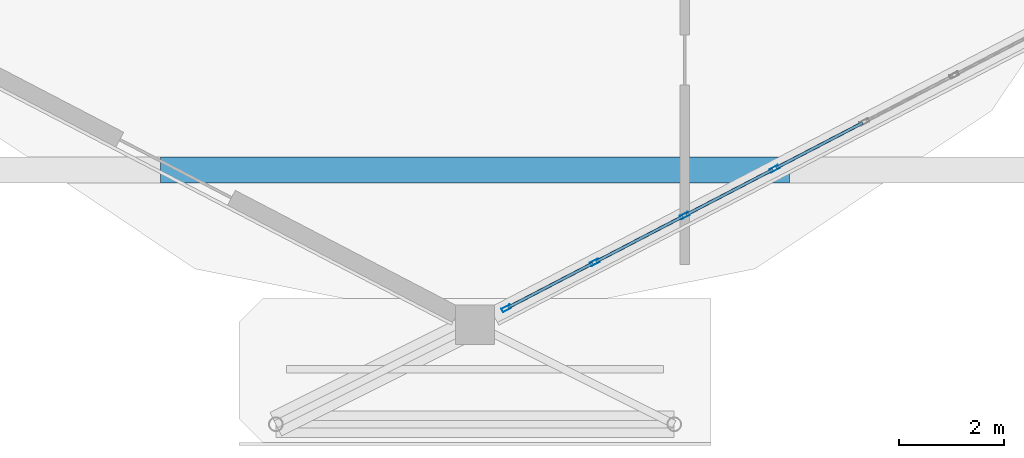
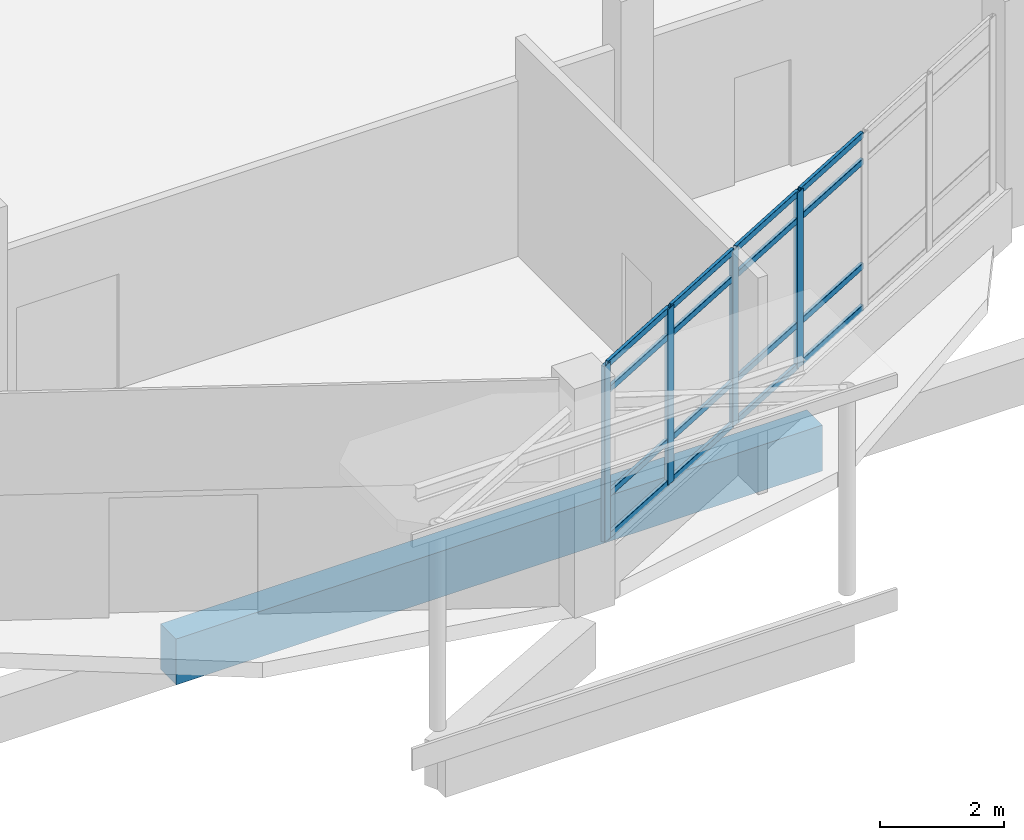
# One storey, part 19 of 129: 20 members, 1 beam, 1 element without a shape of its own.
"""IFC4 building model written with IfcOpenShell, lengths in metres."""

from ifc_helpers import new_model, si_unit, direction, frame, origin, origin_2d, place, context, subcontext, project, spatial, rectangle, hollow_rectangle, extrude, material, layer, layer_set, material_profile, profile_set, type_object, element, aggregate, save


model = new_model("IFC4")

# Units and contexts
model_context = context("Model", 3, precision=1e-05, world=origin(), true_north=direction((0.0, 1.0)))
body_context = subcontext(model_context, "Body", "Model", "MODEL_VIEW")
ifc_project = project(units=[si_unit("LENGTHUNIT", "METRE"), si_unit("AREAUNIT", "SQUARE_METRE"), si_unit("VOLUMEUNIT", "CUBIC_METRE"), si_unit("PLANEANGLEUNIT", "RADIAN"), si_unit("MASSUNIT", "GRAM", prefix="KILO")], contexts=[model_context])

# Site, building, storey
site_placement = place(None, origin())
site = spatial("IfcSite", under=ifc_project, at=site_placement, CompositionType="ELEMENT")
building_placement = place(site_placement, origin())
building = spatial("IfcBuilding", under=site, at=building_placement, Name="Vespera Passage Community Centre", CompositionType="ELEMENT")
storey_placement = place(building_placement, origin())
storey = spatial("IfcBuildingStorey", under=building, at=storey_placement, Name="L00", CompositionType="ELEMENT", Elevation=0.0)

# Beam
ifc_material_1 = material(Name="Concrete f'c 45 MPa", Category="concrete")
ifc_material_profile_1 = material_profile(ifc_material_1, rectangle(XDim=0.5, YDim=0.89990234375, at=origin_2d()), Name="RC500X900")
ifc_profile_set_1 = profile_set([ifc_material_profile_1], Name="Concrete f'c 45 MPa")
beam_type = type_object("IfcBeamType", Name="BM-G-500X900", PredefinedType="BEAM", material=ifc_profile_set_1)
beam_placement = place(storey_placement, frame((12.0, 7.0, -0.75), z_axis=(1.0, 0.0, 0.0), x_axis=(0.0, 1.0, 0.0)))
element("IfcBeam", 1, at=beam_placement, inside=storey, type_object=beam_type, Name="V1 L00 Floor Girder 1.2", PredefinedType="BEAM", context=body_context, shape_type="SweptSolid", body=[
    extrude(rectangle(XDim=0.5, YDim=0.89990234375, at=origin_2d()), origin(), (0.0, 0.0, 1.0), 12.0),
])

# Curtain wall, members
ifc_material_2 = material(Name="Anodized aluminium 6063-T6", Category="aluminium")
ifc_layer = layer(ifc_material_2, 0.159912109375)
ifc_layer_set = layer_set([ifc_layer], Name="Anodized aluminium 6063-T6")
curtain_wall_type = type_object("IfcCurtainWallType", Name="CW-83E", PredefinedType="NOTDEFINED", material=ifc_layer_set)
curtain_wall_placement = place(storey_placement, origin())
curtain_wall = element("IfcCurtainWall", 2, at=curtain_wall_placement, inside=storey, type_object=curtain_wall_type, Name="V1 L00 S Apse Ribbon Curtain Wall 2", PredefinedType="NOTDEFINED")
ifc_material_3 = material(Name="Anodized aluminium 6063-T6", Category="aluminium")
ifc_material_profile_2 = material_profile(ifc_material_3, hollow_rectangle(XDim=0.074951171875, YDim=0.179931640625, WallThickness=0.0048828125, InnerFilletRadius=0.00244140625, OuterFilletRadius=0.0048828125, at=origin_2d()), Name="ALU180X75X5")
ifc_profile_set_2 = profile_set([ifc_material_profile_2], Name="Anodized aluminium 6063-T6")
member_type_1 = type_object("IfcMemberType", Name="MB-CWM-180E", PredefinedType="MULLION", material=ifc_profile_set_2)
member_1_placement = place(storey_placement, frame((23.713623046875, 7.0244140625, 0.800048828125), z_axis=(0.0, 0.0, 1.0), x_axis=(0.46174493668, -0.887012747062, 0.0)))
member_1 = element("IfcMember", 3, at=member_1_placement, type_object=member_type_1, Name="CW-83E mullion 4", PredefinedType="MULLION", context=body_context, shape_type="SweptSolid", body=[
    extrude(hollow_rectangle(XDim=0.074951171875, YDim=0.179931640625, WallThickness=0.0048828125, InnerFilletRadius=0.00244140625, OuterFilletRadius=0.0048828125, at=origin_2d()), origin(), (0.0, 0.0, 1.0), 3.449951171875),
])
member_2_placement = place(storey_placement, frame((21.99755859375, 6.131103515625, 0.800048828125), z_axis=(0.0, 0.0, 1.0), x_axis=(0.46174493668, -0.887012747062, 0.0)))
member_2 = element("IfcMember", 4, at=member_2_placement, type_object=member_type_1, Name="CW-83E mullion 5", PredefinedType="MULLION", context=body_context, shape_type="SweptSolid", body=[
    extrude(hollow_rectangle(XDim=0.074951171875, YDim=0.179931640625, WallThickness=0.0048828125, InnerFilletRadius=0.00244140625, OuterFilletRadius=0.0048828125, at=origin_2d()), origin(), (0.0, 0.0, 1.0), 3.449951171875),
])
member_3_placement = place(storey_placement, frame((20.28173828125, 5.23779296875, 0.800048828125), z_axis=(0.0, 0.0, 1.0), x_axis=(0.46174493668, -0.887012747062, 0.0)))
member_3 = element("IfcMember", 5, at=member_3_placement, type_object=member_type_1, Name="CW-83E mullion 6", PredefinedType="MULLION", context=body_context, shape_type="SweptSolid", body=[
    extrude(hollow_rectangle(XDim=0.074951171875, YDim=0.179931640625, WallThickness=0.0048828125, InnerFilletRadius=0.00244140625, OuterFilletRadius=0.0048828125, at=origin_2d()), origin(), (0.0, 0.0, 1.0), 3.449951171875),
])
member_4_placement = place(storey_placement, frame((18.598876953125, 4.36181640625, 0.800048828125), z_axis=(0.0, 0.0, 1.0), x_axis=(0.46174493668, -0.887012747062, 0.0)))
member_4 = element("IfcMember", 6, at=member_4_placement, type_object=member_type_1, Name="CW-83E mullion 7", PredefinedType="MULLION", context=body_context, shape_type="SweptSolid", body=[
    extrude(hollow_rectangle(XDim=0.074951171875, YDim=0.179931640625, WallThickness=0.0048828125, InnerFilletRadius=0.00244140625, OuterFilletRadius=0.0048828125, at=origin_2d()), origin(), (0.0, 0.0, 1.0), 3.449951171875),
])
ifc_material_4 = material(Name="Anodized aluminium 6063-T6", Category="aluminium")
ifc_material_profile_3 = material_profile(ifc_material_4, hollow_rectangle(XDim=0.06005859375, YDim=0.1201171875, WallThickness=0.00390625, InnerFilletRadius=0.001953125, OuterFilletRadius=0.00390625, at=origin_2d()), Name="ALU120X60X4")
ifc_profile_set_3 = profile_set([ifc_material_profile_3], Name="Anodized aluminium 6063-T6")
member_type_2 = type_object("IfcMemberType", Name="MB-CWT-120E", PredefinedType="USERDEFINED", material=ifc_profile_set_3)
member_5_placement = place(storey_placement, frame((25.396240234375, 7.900146484375, 0.830078125), z_axis=(-0.887008197889, -0.461753675544, 0.0), x_axis=(0.461753675544, -0.887008197889, 0.0)))
member_5 = element("IfcMember", 7, at=member_5_placement, type_object=member_type_2, Name="CW-83E transom 3.1", ObjectType="TRANSOM", PredefinedType="USERDEFINED", context=body_context, shape_type="SweptSolid", body=[
    extrude(hollow_rectangle(XDim=0.06005859375, YDim=0.1201171875, WallThickness=0.00390625, InnerFilletRadius=0.001953125, OuterFilletRadius=0.00390625, at=origin_2d()), origin(), (0.0, 0.0, 1.0), 1.859619140625),
])
member_6_placement = place(storey_placement, frame((25.396240234375, 7.900146484375, 1.64990234375), z_axis=(-0.887008197889, -0.461753675544, 0.0), x_axis=(0.461753675544, -0.887008197889, 0.0)))
member_6 = element("IfcMember", 8, at=member_6_placement, type_object=member_type_2, Name="CW-83E transom 3.2", ObjectType="TRANSOM", PredefinedType="USERDEFINED", context=body_context, shape_type="SweptSolid", body=[
    extrude(hollow_rectangle(XDim=0.06005859375, YDim=0.1201171875, WallThickness=0.00390625, InnerFilletRadius=0.001953125, OuterFilletRadius=0.00390625, at=origin_2d()), origin(), (0.0, 0.0, 1.0), 1.859619140625),
])
member_7_placement = place(storey_placement, frame((25.396240234375, 7.900146484375, 3.699951171875), z_axis=(-0.887008197889, -0.461753675544, 0.0), x_axis=(0.461753675544, -0.887008197889, 0.0)))
member_7 = element("IfcMember", 9, at=member_7_placement, type_object=member_type_2, Name="CW-83E transom 3.3", ObjectType="TRANSOM", PredefinedType="USERDEFINED", context=body_context, shape_type="SweptSolid", body=[
    extrude(hollow_rectangle(XDim=0.06005859375, YDim=0.1201171875, WallThickness=0.00390625, InnerFilletRadius=0.001953125, OuterFilletRadius=0.00390625, at=origin_2d()), origin(), (0.0, 0.0, 1.0), 1.859619140625),
])
member_8_placement = place(storey_placement, frame((25.396240234375, 7.900146484375, 4.219970703125), z_axis=(-0.887008197889, -0.461753675544, 0.0), x_axis=(0.461753675544, -0.887008197889, 0.0)))
member_8 = element("IfcMember", 10, at=member_8_placement, type_object=member_type_2, Name="CW-83E transom 3.4", ObjectType="TRANSOM", PredefinedType="USERDEFINED", context=body_context, shape_type="SweptSolid", body=[
    extrude(hollow_rectangle(XDim=0.06005859375, YDim=0.1201171875, WallThickness=0.00390625, InnerFilletRadius=0.001953125, OuterFilletRadius=0.00390625, at=origin_2d()), origin(), (0.0, 0.0, 1.0), 1.859619140625),
])
member_9_placement = place(storey_placement, frame((23.680419921875, 7.007080078125, 0.830078125), z_axis=(-0.887008197889, -0.461753675544, 0.0), x_axis=(0.461753675544, -0.887008197889, 0.0)))
member_9 = element("IfcMember", 11, at=member_9_placement, type_object=member_type_2, Name="CW-83E transom 4.1", ObjectType="TRANSOM", PredefinedType="USERDEFINED", context=body_context, shape_type="SweptSolid", body=[
    extrude(hollow_rectangle(XDim=0.06005859375, YDim=0.1201171875, WallThickness=0.00390625, InnerFilletRadius=0.001953125, OuterFilletRadius=0.00390625, at=origin_2d()), origin(), (0.0, 0.0, 1.0), 1.859619140625),
])
member_10_placement = place(storey_placement, frame((23.680419921875, 7.007080078125, 1.64990234375), z_axis=(-0.887008197889, -0.461753675544, 0.0), x_axis=(0.461753675544, -0.887008197889, 0.0)))
member_10 = element("IfcMember", 12, at=member_10_placement, type_object=member_type_2, Name="CW-83E transom 4.2", ObjectType="TRANSOM", PredefinedType="USERDEFINED", context=body_context, shape_type="SweptSolid", body=[
    extrude(hollow_rectangle(XDim=0.06005859375, YDim=0.1201171875, WallThickness=0.00390625, InnerFilletRadius=0.001953125, OuterFilletRadius=0.00390625, at=origin_2d()), origin(), (0.0, 0.0, 1.0), 1.859619140625),
])
member_11_placement = place(storey_placement, frame((23.680419921875, 7.007080078125, 3.699951171875), z_axis=(-0.887008197889, -0.461753675544, 0.0), x_axis=(0.461753675544, -0.887008197889, 0.0)))
member_11 = element("IfcMember", 13, at=member_11_placement, type_object=member_type_2, Name="CW-83E transom 4.3", ObjectType="TRANSOM", PredefinedType="USERDEFINED", context=body_context, shape_type="SweptSolid", body=[
    extrude(hollow_rectangle(XDim=0.06005859375, YDim=0.1201171875, WallThickness=0.00390625, InnerFilletRadius=0.001953125, OuterFilletRadius=0.00390625, at=origin_2d()), origin(), (0.0, 0.0, 1.0), 1.859619140625),
])
member_12_placement = place(storey_placement, frame((23.680419921875, 7.007080078125, 4.219970703125), z_axis=(-0.887008197889, -0.461753675544, 0.0), x_axis=(0.461753675544, -0.887008197889, 0.0)))
member_12 = element("IfcMember", 14, at=member_12_placement, type_object=member_type_2, Name="CW-83E transom 4.4", ObjectType="TRANSOM", PredefinedType="USERDEFINED", context=body_context, shape_type="SweptSolid", body=[
    extrude(hollow_rectangle(XDim=0.06005859375, YDim=0.1201171875, WallThickness=0.00390625, InnerFilletRadius=0.001953125, OuterFilletRadius=0.00390625, at=origin_2d()), origin(), (0.0, 0.0, 1.0), 1.859619140625),
])
member_13_placement = place(storey_placement, frame((21.96435546875, 6.11376953125, 0.830078125), z_axis=(-0.887008197889, -0.461753675544, 0.0), x_axis=(0.461753675544, -0.887008197889, 0.0)))
member_13 = element("IfcMember", 15, at=member_13_placement, type_object=member_type_2, Name="CW-83E transom 5.1", ObjectType="TRANSOM", PredefinedType="USERDEFINED", context=body_context, shape_type="SweptSolid", body=[
    extrude(hollow_rectangle(XDim=0.06005859375, YDim=0.1201171875, WallThickness=0.00390625, InnerFilletRadius=0.001953125, OuterFilletRadius=0.00390625, at=origin_2d()), origin(), (0.0, 0.0, 1.0), 1.859619140625),
])
member_14_placement = place(storey_placement, frame((21.96435546875, 6.11376953125, 1.64990234375), z_axis=(-0.887008197889, -0.461753675544, 0.0), x_axis=(0.461753675544, -0.887008197889, 0.0)))
member_14 = element("IfcMember", 16, at=member_14_placement, type_object=member_type_2, Name="CW-83E transom 5.2", ObjectType="TRANSOM", PredefinedType="USERDEFINED", context=body_context, shape_type="SweptSolid", body=[
    extrude(hollow_rectangle(XDim=0.06005859375, YDim=0.1201171875, WallThickness=0.00390625, InnerFilletRadius=0.001953125, OuterFilletRadius=0.00390625, at=origin_2d()), origin(), (0.0, 0.0, 1.0), 1.859619140625),
])
member_15_placement = place(storey_placement, frame((21.96435546875, 6.11376953125, 3.699951171875), z_axis=(-0.887008197889, -0.461753675544, 0.0), x_axis=(0.461753675544, -0.887008197889, 0.0)))
member_15 = element("IfcMember", 17, at=member_15_placement, type_object=member_type_2, Name="CW-83E transom 5.3", ObjectType="TRANSOM", PredefinedType="USERDEFINED", context=body_context, shape_type="SweptSolid", body=[
    extrude(hollow_rectangle(XDim=0.06005859375, YDim=0.1201171875, WallThickness=0.00390625, InnerFilletRadius=0.001953125, OuterFilletRadius=0.00390625, at=origin_2d()), origin(), (0.0, 0.0, 1.0), 1.859619140625),
])
member_16_placement = place(storey_placement, frame((21.96435546875, 6.11376953125, 4.219970703125), z_axis=(-0.887008197889, -0.461753675544, 0.0), x_axis=(0.461753675544, -0.887008197889, 0.0)))
member_16 = element("IfcMember", 18, at=member_16_placement, type_object=member_type_2, Name="CW-83E transom 5.4", ObjectType="TRANSOM", PredefinedType="USERDEFINED", context=body_context, shape_type="SweptSolid", body=[
    extrude(hollow_rectangle(XDim=0.06005859375, YDim=0.1201171875, WallThickness=0.00390625, InnerFilletRadius=0.001953125, OuterFilletRadius=0.00390625, at=origin_2d()), origin(), (0.0, 0.0, 1.0), 1.859619140625),
])
member_17_placement = place(storey_placement, frame((20.248291015625, 5.220458984375, 0.830078125), z_axis=(-0.886990706074, -0.461787274986, 0.0), x_axis=(0.461787274986, -0.886990706074, 0.0)))
member_17 = element("IfcMember", 19, at=member_17_placement, type_object=member_type_2, Name="CW-83E transom 6.1", ObjectType="TRANSOM", PredefinedType="USERDEFINED", context=body_context, shape_type="SweptSolid", body=[
    extrude(hollow_rectangle(XDim=0.06005859375, YDim=0.1201171875, WallThickness=0.00390625, InnerFilletRadius=0.001953125, OuterFilletRadius=0.00390625, at=origin_2d()), origin(), (0.0, 0.0, 1.0), 1.82177734375),
])
member_18_placement = place(storey_placement, frame((20.248291015625, 5.220458984375, 1.64990234375), z_axis=(-0.886990706074, -0.461787274986, 0.0), x_axis=(0.461787274986, -0.886990706074, 0.0)))
member_18 = element("IfcMember", 20, at=member_18_placement, type_object=member_type_2, Name="CW-83E transom 6.2", ObjectType="TRANSOM", PredefinedType="USERDEFINED", context=body_context, shape_type="SweptSolid", body=[
    extrude(hollow_rectangle(XDim=0.06005859375, YDim=0.1201171875, WallThickness=0.00390625, InnerFilletRadius=0.001953125, OuterFilletRadius=0.00390625, at=origin_2d()), origin(), (0.0, 0.0, 1.0), 1.82177734375),
])
member_19_placement = place(storey_placement, frame((20.248291015625, 5.220458984375, 3.699951171875), z_axis=(-0.886990706074, -0.461787274986, 0.0), x_axis=(0.461787274986, -0.886990706074, 0.0)))
member_19 = element("IfcMember", 21, at=member_19_placement, type_object=member_type_2, Name="CW-83E transom 6.3", ObjectType="TRANSOM", PredefinedType="USERDEFINED", context=body_context, shape_type="SweptSolid", body=[
    extrude(hollow_rectangle(XDim=0.06005859375, YDim=0.1201171875, WallThickness=0.00390625, InnerFilletRadius=0.001953125, OuterFilletRadius=0.00390625, at=origin_2d()), origin(), (0.0, 0.0, 1.0), 1.82177734375),
])
member_20_placement = place(storey_placement, frame((20.248291015625, 5.220458984375, 4.219970703125), z_axis=(-0.886990706074, -0.461787274986, 0.0), x_axis=(0.461787274986, -0.886990706074, 0.0)))
member_20 = element("IfcMember", 22, at=member_20_placement, type_object=member_type_2, Name="CW-83E transom 6.4", ObjectType="TRANSOM", PredefinedType="USERDEFINED", context=body_context, shape_type="SweptSolid", body=[
    extrude(hollow_rectangle(XDim=0.06005859375, YDim=0.1201171875, WallThickness=0.00390625, InnerFilletRadius=0.001953125, OuterFilletRadius=0.00390625, at=origin_2d()), origin(), (0.0, 0.0, 1.0), 1.82177734375),
])
aggregate(curtain_wall, [member_1, member_2, member_3, member_4, member_5, member_6, member_7, member_8, member_9, member_10, member_11, member_12, member_13, member_14, member_15, member_16, member_17, member_18, member_19, member_20])

save(model, "model.ifc")
